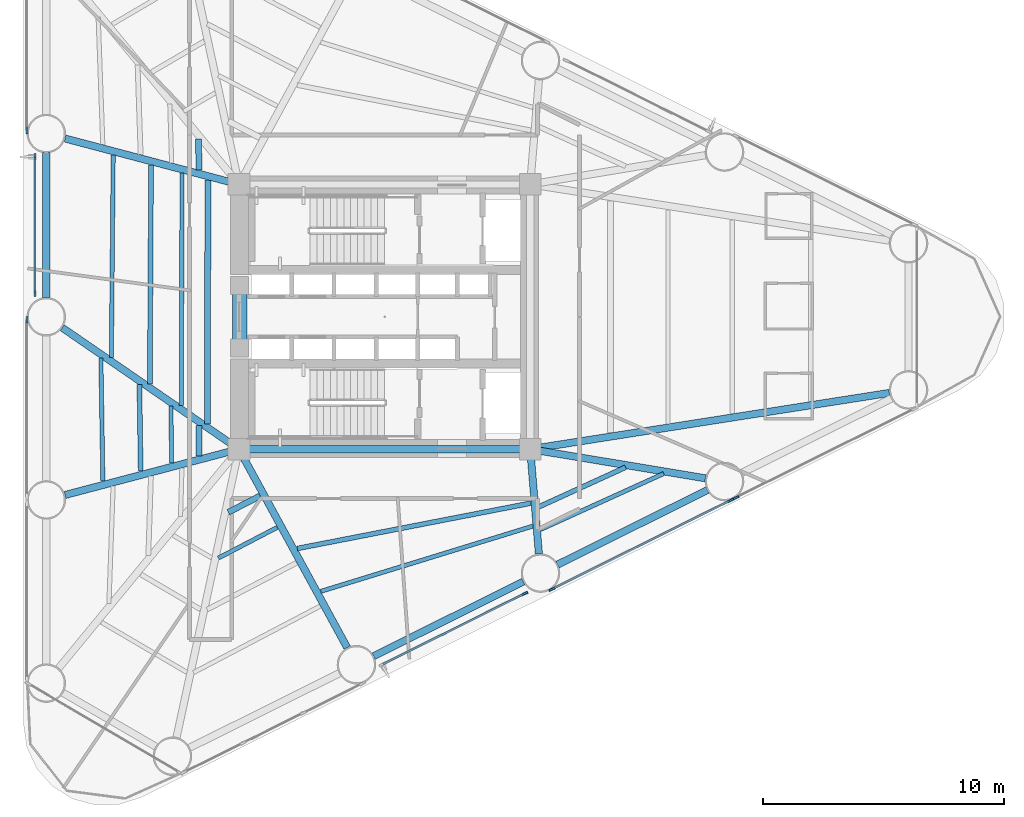
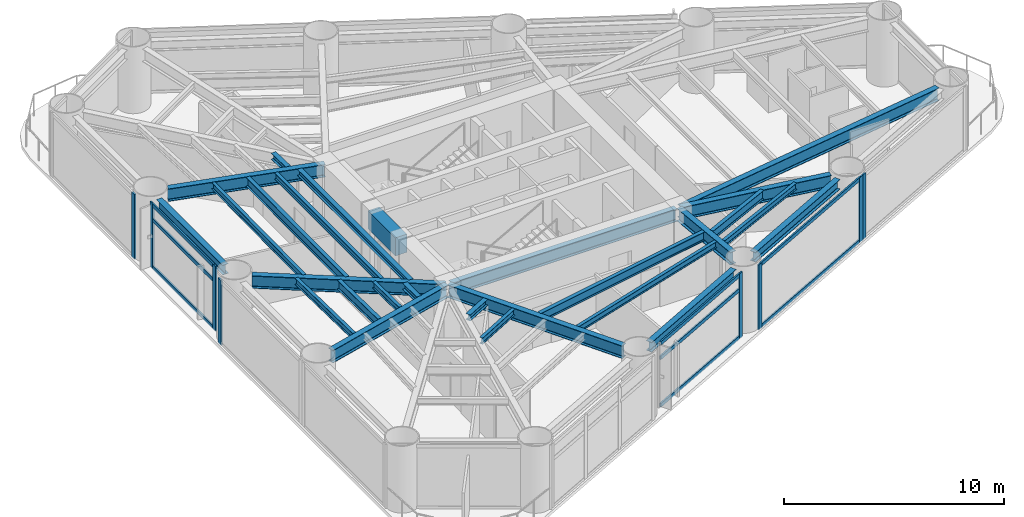
# One storey, part 2 of 10: 27 beams, 16 members, 6 elements without a shape of their own.
"""IFC4 building model written with IfcOpenShell, lengths in metres."""

from ifc_helpers import new_model, si_unit, direction, frame, origin, origin_2d, place, context, subcontext, project, spatial, rectangle, i_section, extrude, source, transform, mapped, material, layer, layer_set, material_profile, profile_set, type_object, element, aggregate, save


model = new_model("IFC4")

# Units and contexts
model_context = context("Model", 3, precision=1e-05, world=origin(), true_north=direction((0.0, 1.0)))
body_context = subcontext(model_context, "Body", "Model", "MODEL_VIEW")
ifc_project = project(units=[si_unit("LENGTHUNIT", "METRE"), si_unit("AREAUNIT", "SQUARE_METRE"), si_unit("VOLUMEUNIT", "CUBIC_METRE"), si_unit("PLANEANGLEUNIT", "RADIAN"), si_unit("MASSUNIT", "GRAM", prefix="KILO")], contexts=[model_context])

# Site, building, storey
site_placement = place(None, origin())
site = spatial("IfcSite", under=ifc_project, at=site_placement, CompositionType="ELEMENT")
building_placement = place(site_placement, origin())
building = spatial("IfcBuilding", under=site, at=building_placement, Name="Yunling Apex Tower", CompositionType="ELEMENT")
storey_placement = place(building_placement, frame((0.0, 0.0, 38.60009765625)))
storey = spatial("IfcBuildingStorey", under=building, at=storey_placement, Name="L11", CompositionType="ELEMENT", Elevation=38.60009765625)

# Beams
ifc_material_1 = material(Name="Concrete C60", Category="concrete")
ifc_material_profile_1 = material_profile(ifc_material_1, rectangle(XDim=0.60009765625, YDim=1.0, at=origin_2d()))
ifc_profile_set_1 = profile_set([ifc_material_profile_1], Name="Concrete C60")
beam_type_1 = type_object("IfcBeamType", Name="BC-CPL-1", PredefinedType="BEAM", material=ifc_profile_set_1)
shared_shape_1 = source(origin(), body_context, "Body", "SweptSolid", [
    extrude(rectangle(XDim=0.60009765625, YDim=1.0, at=origin_2d()), origin(), (0.0, 0.0, 1.0), 2.5),
])
beam_1_placement = place(storey_placement, frame((-6.02490234375, -1.25, 3.014892578125), z_axis=(0.0, 1.0, 0.0), x_axis=(-1.0, 0.0, 0.0)))
element("IfcBeam", 1, at=beam_1_placement, inside=storey, type_object=beam_type_1, Name="L11 Core West Portal Coupling Beam", PredefinedType="BEAM", context=body_context, shape_type="MappedRepresentation", body=[
    mapped(shared_shape_1, transform((0.0, 0.0, 0.0), scale=1.0)),
])
ifc_material_2 = material(Name="Steel Q355B", Category="steel")
ifc_material_profile_2 = material_profile(ifc_material_2, i_section(OverallWidth=0.300048828125, OverallDepth=0.699951171875, WebThickness=0.012939453125, FlangeThickness=0.02392578125, FilletRadius=0.02587890625, at=origin_2d()))
ifc_profile_set_2 = profile_set([ifc_material_profile_2], Name="Steel Q355B")
beam_type_2 = type_object("IfcBeamType", Name="BG-PRI-3", PredefinedType="USERDEFINED", material=ifc_profile_set_2)
shared_shape_2 = source(origin(), body_context, "Body", "SweptSolid", [
    extrude(i_section(OverallWidth=0.300048828125, OverallDepth=0.699951171875, WebThickness=0.012939453125, FlangeThickness=0.02392578125, FilletRadius=0.02587890625, at=origin_2d()), origin(), (0.0, 0.0, 1.0), 11.7998046875),
])
beam_2_placement = place(storey_placement, frame((-5.89990234375, -5.5, 3.164794921875), z_axis=(1.0, 0.0, 0.0), x_axis=(0.0, 1.0, 0.0)))
element("IfcBeam", 2, at=beam_2_placement, inside=storey, type_object=beam_type_2, Name="L11 Core Ring Tie Beam 1", ObjectType="GIRDER", PredefinedType="USERDEFINED", context=body_context, shape_type="MappedRepresentation", body=[
    mapped(shared_shape_2, transform((0.0, 0.0, 0.0), scale=1.0)),
])
ifc_material_profile_3 = material_profile(ifc_material_2, i_section(OverallWidth=0.300048828125, OverallDepth=0.5400390625, WebThickness=0.011962890625, FlangeThickness=0.02001953125, FilletRadius=0.02392578125, at=origin_2d()))
ifc_profile_set_3 = profile_set([ifc_material_profile_3], Name="Steel Q355B")
beam_type_3 = type_object("IfcBeamType", Name="BP-SPN-1", PredefinedType="SPANDREL", material=ifc_profile_set_3)
shared_shape_3 = source(origin(), body_context, "Body", "SweptSolid", [
    extrude(i_section(OverallWidth=0.300048828125, OverallDepth=0.5400390625, WebThickness=0.011962890625, FlangeThickness=0.02001953125, FilletRadius=0.02392578125, at=origin_2d()), origin(), (0.0, 0.0, 1.0), 6.950927734375),
])
beam_3_placement = place(storey_placement, frame((-0.456298828125, -14.099365234375, 3.244873046875), z_axis=(0.895247556401, 0.445569088646, 0.0), x_axis=(-0.445569088646, 0.895247556401, 0.0)))
element("IfcBeam", 3, at=beam_3_placement, inside=storey, type_object=beam_type_3, Name="L11 Perimeter Spandrel Beam 2", PredefinedType="SPANDREL", context=body_context, shape_type="MappedRepresentation", body=[
    mapped(shared_shape_3, transform((0.0, 0.0, 0.0), scale=1.0)),
])
shared_shape_4 = source(origin(), body_context, "Body", "SweptSolid", [
    extrude(i_section(OverallWidth=0.300048828125, OverallDepth=0.5400390625, WebThickness=0.011962890625, FlangeThickness=0.02001953125, FilletRadius=0.02392578125, at=origin_2d()), origin(), (0.0, 0.0, 1.0), 6.95068359375),
])
beam_4_placement = place(storey_placement, frame((7.188232421875, -10.29443359375, 3.244873046875), z_axis=(0.895254593944, 0.445554948375, 0.0), x_axis=(-0.445554948375, 0.895254593944, 0.0)))
element("IfcBeam", 4, at=beam_4_placement, inside=storey, type_object=beam_type_3, Name="L11 Perimeter Spandrel Beam 3", PredefinedType="SPANDREL", context=body_context, shape_type="MappedRepresentation", body=[
    mapped(shared_shape_4, transform((0.0, 0.0, 0.0), scale=1.0)),
])
shared_shape_5 = source(origin(), body_context, "Body", "SweptSolid", [
    extrude(i_section(OverallWidth=0.300048828125, OverallDepth=0.5400390625, WebThickness=0.011962890625, FlangeThickness=0.02001953125, FilletRadius=0.02392578125, at=origin_2d()), origin(), (0.0, 0.0, 1.0), 6.021484375),
])
beam_5_placement = place(storey_placement, frame((-14.052001953125, 6.8154296875, 3.244873046875), z_axis=(0.0, -1.0, 0.0), x_axis=(1.0, 0.0, 0.0)))
element("IfcBeam", 5, at=beam_5_placement, inside=storey, type_object=beam_type_3, Name="L11 Perimeter Spandrel Beam 12", PredefinedType="SPANDREL", context=body_context, shape_type="MappedRepresentation", body=[
    mapped(shared_shape_5, transform((0.0, 0.0, 0.0), scale=1.0)),
])
shared_shape_6 = source(origin(), body_context, "Body", "SweptSolid", [
    extrude(i_section(OverallWidth=0.300048828125, OverallDepth=0.699951171875, WebThickness=0.012939453125, FlangeThickness=0.02392578125, FilletRadius=0.02587890625, at=origin_2d()), origin(), (0.0, 0.0, 1.0), 9.31005859375),
])
beam_6_placement = place(storey_placement, frame((-1.553955078125, -13.74365234375, 3.164794921875), z_axis=(-0.478817221141, 0.877914613581, 0.0), x_axis=(-0.877914613581, -0.478817221141, 0.0)))
element("IfcBeam", 6, at=beam_6_placement, inside=storey, type_object=beam_type_2, Name="L11 Radial Primary Girder R02", ObjectType="GIRDER", PredefinedType="USERDEFINED", context=body_context, shape_type="MappedRepresentation", body=[
    mapped(shared_shape_6, transform((0.0, 0.0, 0.0), scale=1.0)),
])
shared_shape_7 = source(origin(), body_context, "Body", "SweptSolid", [
    extrude(i_section(OverallWidth=0.300048828125, OverallDepth=0.699951171875, WebThickness=0.012939453125, FlangeThickness=0.02392578125, FilletRadius=0.02587890625, at=origin_2d()), origin(), (0.0, 0.0, 1.0), 4.278076171875),
])
beam_7_placement = place(storey_placement, frame((6.41064453125, -9.843017578125, 3.164794921875), z_axis=(-0.082747937789, 0.996570508691, 0.0), x_axis=(-0.996570508691, -0.082747937789, 0.0)))
element("IfcBeam", 7, at=beam_7_placement, inside=storey, type_object=beam_type_2, Name="L11 Radial Primary Girder R03", ObjectType="GIRDER", PredefinedType="USERDEFINED", context=body_context, shape_type="MappedRepresentation", body=[
    mapped(shared_shape_7, transform((0.0, 0.0, 0.0), scale=1.0)),
])
shared_shape_8 = source(origin(), body_context, "Body", "SweptSolid", [
    extrude(i_section(OverallWidth=0.300048828125, OverallDepth=0.699951171875, WebThickness=0.012939453125, FlangeThickness=0.02392578125, FilletRadius=0.02587890625, at=origin_2d()), origin(), (0.0, 0.0, 1.0), 7.294921875),
])
beam_8_placement = place(storey_placement, frame((13.32470703125, -6.7109375, 3.164794921875), z_axis=(-0.98642827455, 0.164192750049, 0.0), x_axis=(-0.164192750049, -0.98642827455, 0.0)))
element("IfcBeam", 8, at=beam_8_placement, inside=storey, type_object=beam_type_2, Name="L11 Radial Primary Girder R04", ObjectType="GIRDER", PredefinedType="USERDEFINED", context=body_context, shape_type="MappedRepresentation", body=[
    mapped(shared_shape_8, transform((0.0, 0.0, 0.0), scale=1.0)),
])
shared_shape_9 = source(origin(), body_context, "Body", "SweptSolid", [
    extrude(i_section(OverallWidth=0.300048828125, OverallDepth=0.699951171875, WebThickness=0.012939453125, FlangeThickness=0.02392578125, FilletRadius=0.02587890625, at=origin_2d()), origin(), (0.0, 0.0, 1.0), 15.02001953125),
])
beam_9_placement = place(storey_placement, frame((20.968017578125, -3.163818359375, 3.164794921875), z_axis=(-0.987959991473, -0.154709583568, 0.0), x_axis=(0.154709583568, -0.987959991473, 0.0)))
element("IfcBeam", 9, at=beam_9_placement, inside=storey, type_object=beam_type_2, Name="L11 Radial Primary Girder R05", ObjectType="GIRDER", PredefinedType="USERDEFINED", context=body_context, shape_type="MappedRepresentation", body=[
    mapped(shared_shape_9, transform((0.0, 0.0, 0.0), scale=1.0)),
])
shared_shape_10 = source(origin(), body_context, "Body", "SweptSolid", [
    extrude(i_section(OverallWidth=0.300048828125, OverallDepth=0.699951171875, WebThickness=0.012939453125, FlangeThickness=0.02392578125, FilletRadius=0.02587890625, at=origin_2d()), origin(), (0.0, 0.0, 1.0), 7.387451171875),
])
for number, where, z_axis, x_axis, name in (
    (10, (-13.270751953125, 7.403564453125, 3.164794921875), (0.966966571797, -0.25490321502, 0.0), (0.25490321502, 0.966966571797, 0.0), "L11 Radial Primary Girder R12"),
    (11, (-13.270751953125, -7.403564453125, 3.164794921875), (0.966966571797, 0.25490321502, 0.0), (-0.25490321502, 0.966966571797, 0.0), "L11 Radial Primary Girder R14"),
):
    element("IfcBeam", number, at=place(storey_placement, frame(where, z_axis=z_axis, x_axis=x_axis)), inside=storey, type_object=beam_type_2, Name=name, ObjectType="GIRDER", PredefinedType="USERDEFINED", context=body_context, shape_type="MappedRepresentation", body=[
        mapped(shared_shape_10, transform((0.0, 0.0, 0.0), scale=1.0)),
    ])
shared_shape_11 = source(origin(), body_context, "Body", "SweptSolid", [
    extrude(i_section(OverallWidth=0.300048828125, OverallDepth=0.699951171875, WebThickness=0.012939453125, FlangeThickness=0.02392578125, FilletRadius=0.02587890625, at=origin_2d()), origin(), (0.0, 0.0, 1.0), 8.821533203125),
])
beam_10_placement = place(storey_placement, frame((-13.385986328125, -0.457763671875, 3.164794921875), z_axis=(0.824111362877, -0.566427807912, 0.0), x_axis=(0.566427807912, 0.824111362877, 0.0)))
element("IfcBeam", 12, at=beam_10_placement, inside=storey, type_object=beam_type_2, Name="L11 Radial Primary Girder R13", ObjectType="GIRDER", PredefinedType="USERDEFINED", context=body_context, shape_type="MappedRepresentation", body=[
    mapped(shared_shape_11, transform((0.0, 0.0, 0.0), scale=1.0)),
])
ifc_material_profile_4 = material_profile(ifc_material_2, i_section(OverallWidth=0.175048828125, OverallDepth=0.35009765625, WebThickness=0.007080078125, FlangeThickness=0.010986328125, FilletRadius=0.013916015625, at=origin_2d()))
ifc_profile_set_4 = profile_set([ifc_material_profile_4], Name="Steel Q355B")
beam_type_4 = type_object("IfcBeamType", Name="BJ-JST-1", PredefinedType="JOIST", material=ifc_profile_set_4)
shared_shape_12 = source(origin(), body_context, "Body", "SweptSolid", [
    extrude(i_section(OverallWidth=0.175048828125, OverallDepth=0.35009765625, WebThickness=0.007080078125, FlangeThickness=0.010986328125, FilletRadius=0.013916015625, at=origin_2d()), origin(), (0.0, 0.0, 1.0), 2.7548828125),
])
beam_11_placement = place(storey_placement, frame((-6.903076171875, -10.0224609375, 3.33984375), z_axis=(0.886932237595, 0.461899562584, 0.0), x_axis=(-0.461899562584, 0.886932237595, 0.0)))
element("IfcBeam", 13, at=beam_11_placement, inside=storey, type_object=beam_type_4, Name="L11 Composite Floor Joist BJ3-1", PredefinedType="JOIST", context=body_context, shape_type="MappedRepresentation", body=[
    mapped(shared_shape_12, transform((0.0, 0.0, 0.0), scale=1.0)),
])
ifc_material_profile_5 = material_profile(ifc_material_2, i_section(OverallWidth=0.25, OverallDepth=0.340087890625, WebThickness=0.009033203125, FlangeThickness=0.013916015625, FilletRadius=0.01806640625, at=origin_2d()))
ifc_profile_set_5 = profile_set([ifc_material_profile_5], Name="Steel Q355B")
beam_type_5 = type_object("IfcBeamType", Name="BJ-JST-2", PredefinedType="JOIST", material=ifc_profile_set_5)
shared_shape_13 = source(origin(), body_context, "Body", "SweptSolid", [
    extrude(i_section(OverallWidth=0.25, OverallDepth=0.340087890625, WebThickness=0.009033203125, FlangeThickness=0.013916015625, FilletRadius=0.01806640625, at=origin_2d()), origin(), (0.0, 0.0, 1.0), 1.482421875),
])
beam_12_placement = place(storey_placement, frame((-6.490966796875, -8.12060546875, 3.344970703125), z_axis=(0.888960334438, 0.457984196012, 0.0), x_axis=(-0.457984196012, 0.888960334438, 0.0)))
element("IfcBeam", 14, at=beam_12_placement, inside=storey, type_object=beam_type_5, Name="L11 Composite Floor Joist BJ2-1", PredefinedType="JOIST", context=body_context, shape_type="MappedRepresentation", body=[
    mapped(shared_shape_13, transform((0.0, 0.0, 0.0), scale=1.0)),
])
ifc_material_profile_6 = material_profile(ifc_material_2, i_section(OverallWidth=0.199951171875, OverallDepth=0.5, WebThickness=0.010009765625, FlangeThickness=0.01611328125, FilletRadius=0.02001953125, at=origin_2d()))
ifc_profile_set_6 = profile_set([ifc_material_profile_6], Name="Steel Q355B")
beam_type_6 = type_object("IfcBeamType", Name="BS-SEC-2", PredefinedType="BEAM", material=ifc_profile_set_6)
shared_shape_14 = source(origin(), body_context, "Body", "SweptSolid", [
    extrude(i_section(OverallWidth=0.199951171875, OverallDepth=0.5, WebThickness=0.010009765625, FlangeThickness=0.01611328125, FilletRadius=0.02001953125, at=origin_2d()), origin(), (0.0, 0.0, 1.0), 9.883544921875),
])
beam_13_placement = place(storey_placement, frame((-3.625732421875, -9.62646484375, 3.264892578125), z_axis=(0.981653423938, 0.190673950161, 0.0), x_axis=(-0.190673950161, 0.981653423938, 0.0)))
element("IfcBeam", 15, at=beam_13_placement, inside=storey, type_object=beam_type_6, Name="L11 Composite Floor Beam BS-2", PredefinedType="BEAM", context=body_context, shape_type="MappedRepresentation", body=[
    mapped(shared_shape_14, transform((0.0, 0.0, 0.0), scale=1.0)),
])
shared_shape_15 = source(origin(), body_context, "Body", "SweptSolid", [
    extrude(i_section(OverallWidth=0.175048828125, OverallDepth=0.35009765625, WebThickness=0.007080078125, FlangeThickness=0.010986328125, FilletRadius=0.013916015625, at=origin_2d()), origin(), (0.0, 0.0, 1.0), 9.2158203125),
])
beam_14_placement = place(storey_placement, frame((-2.649169921875, -11.407958984375, 3.33984375), z_axis=(0.955731454849, 0.294240354492, 0.0), x_axis=(-0.294240354492, 0.955731454849, 0.0)))
element("IfcBeam", 16, at=beam_14_placement, inside=storey, type_object=beam_type_4, Name="L11 Composite Floor Joist BJ1-2", PredefinedType="JOIST", context=body_context, shape_type="MappedRepresentation", body=[
    mapped(shared_shape_15, transform((0.0, 0.0, 0.0), scale=1.0)),
])
shared_shape_16 = source(origin(), body_context, "Body", "SweptSolid", [
    extrude(i_section(OverallWidth=0.199951171875, OverallDepth=0.5, WebThickness=0.010009765625, FlangeThickness=0.01611328125, FilletRadius=0.02001953125, at=origin_2d()), origin(), (0.0, 0.0, 1.0), 3.971923828125),
])
beam_15_placement = place(storey_placement, frame((6.400390625, -7.900634765625, 3.264892578125), z_axis=(0.909609234888, 0.415464847858, 0.0), x_axis=(-0.415464847858, 0.909609234888, 0.0)))
element("IfcBeam", 17, at=beam_15_placement, inside=storey, type_object=beam_type_6, Name="L11 Composite Floor Beam BS-3", PredefinedType="BEAM", context=body_context, shape_type="MappedRepresentation", body=[
    mapped(shared_shape_16, transform((0.0, 0.0, 0.0), scale=1.0)),
])
shared_shape_17 = source(origin(), body_context, "Body", "SweptSolid", [
    extrude(i_section(OverallWidth=0.175048828125, OverallDepth=0.35009765625, WebThickness=0.007080078125, FlangeThickness=0.010986328125, FilletRadius=0.013916015625, at=origin_2d()), origin(), (0.0, 0.0, 1.0), 5.62109375),
])
beam_16_placement = place(storey_placement, frame((6.478515625, -8.839111328125, 3.33984375), z_axis=(0.910411095702, 0.413704770124, 0.0), x_axis=(-0.413704770124, 0.910411095702, 0.0)))
element("IfcBeam", 18, at=beam_16_placement, inside=storey, type_object=beam_type_4, Name="L11 Composite Floor Joist BJ1-3", PredefinedType="JOIST", context=body_context, shape_type="MappedRepresentation", body=[
    mapped(shared_shape_17, transform((0.0, 0.0, 0.0), scale=1.0)),
])
shared_shape_18 = source(origin(), body_context, "Body", "SweptSolid", [
    extrude(i_section(OverallWidth=0.25, OverallDepth=0.340087890625, WebThickness=0.009033203125, FlangeThickness=0.013916015625, FilletRadius=0.01806640625, at=origin_2d()), origin(), (0.0, 0.0, 1.0), 1.294921875),
])
beam_17_placement = place(storey_placement, frame((-7.7333984375, 7.38916015625, 3.344970703125), z_axis=(0.023753431789, -0.999717847434, 0.0), x_axis=(0.999717847434, 0.023753431789, 0.0)))
element("IfcBeam", 19, at=beam_17_placement, inside=storey, type_object=beam_type_5, Name="L11 Composite Floor Joist BJ2-11", PredefinedType="JOIST", context=body_context, shape_type="MappedRepresentation", body=[
    mapped(shared_shape_18, transform((0.0, 0.0, 0.0), scale=1.0)),
])
shared_shape_19 = source(origin(), body_context, "Body", "SweptSolid", [
    extrude(i_section(OverallWidth=0.199951171875, OverallDepth=0.5, WebThickness=0.010009765625, FlangeThickness=0.01611328125, FilletRadius=0.02001953125, at=origin_2d()), origin(), (0.0, 0.0, 1.0), 9.098388671875),
])
beam_18_placement = place(storey_placement, frame((-9.699951171875, 6.302001953125, 3.264892578125), z_axis=(-0.005500909631, -0.999984869882, 0.0), x_axis=(0.999984869882, -0.005500909631, 0.0)))
element("IfcBeam", 20, at=beam_18_placement, inside=storey, type_object=beam_type_6, Name="L11 Composite Floor Beam BS-12", PredefinedType="BEAM", context=body_context, shape_type="MappedRepresentation", body=[
    mapped(shared_shape_19, transform((0.0, 0.0, 0.0), scale=1.0)),
])
shared_shape_20 = source(origin(), body_context, "Body", "SweptSolid", [
    extrude(i_section(OverallWidth=0.175048828125, OverallDepth=0.35009765625, WebThickness=0.007080078125, FlangeThickness=0.010986328125, FilletRadius=0.013916015625, at=origin_2d()), origin(), (0.0, 0.0, 1.0), 8.41357421875),
])
beam_19_placement = place(storey_placement, frame((-11.27197265625, 6.71630859375, 3.33984375), z_axis=(-0.009169400639, -0.999957960162, 0.0), x_axis=(0.999957960162, -0.009169400639, 0.0)))
element("IfcBeam", 21, at=beam_19_placement, inside=storey, type_object=beam_type_4, Name="L11 Composite Floor Joist BJ1-12", PredefinedType="JOIST", context=body_context, shape_type="MappedRepresentation", body=[
    mapped(shared_shape_20, transform((0.0, 0.0, 0.0), scale=1.0)),
])
shared_shape_21 = source(origin(), body_context, "Body", "SweptSolid", [
    extrude(i_section(OverallWidth=0.175048828125, OverallDepth=0.35009765625, WebThickness=0.007080078125, FlangeThickness=0.010986328125, FilletRadius=0.013916015625, at=origin_2d()), origin(), (0.0, 0.0, 1.0), 9.65869140625),
])
beam_20_placement = place(storey_placement, frame((-8.413818359375, 5.962890625, 3.33984375), z_axis=(-0.002906817505, -0.999995775197, 0.0), x_axis=(0.999995775197, -0.002906817505, 0.0)))
element("IfcBeam", 22, at=beam_20_placement, inside=storey, type_object=beam_type_4, Name="L11 Composite Floor Joist BJ3-12", PredefinedType="JOIST", context=body_context, shape_type="MappedRepresentation", body=[
    mapped(shared_shape_21, transform((0.0, 0.0, 0.0), scale=1.0)),
])
shared_shape_22 = source(origin(), body_context, "Body", "SweptSolid", [
    extrude(i_section(OverallWidth=0.25, OverallDepth=0.340087890625, WebThickness=0.009033203125, FlangeThickness=0.013916015625, FilletRadius=0.01806640625, at=origin_2d()), origin(), (0.0, 0.0, 1.0), 10.125732421875),
])
beam_21_placement = place(storey_placement, frame((-7.341796875, 5.680419921875, 3.344970703125), z_axis=(-0.000988546835, -0.999999511387, 0.0), x_axis=(0.999999511387, -0.000988546835, 0.0)))
element("IfcBeam", 23, at=beam_21_placement, inside=storey, type_object=beam_type_5, Name="L11 Composite Floor Joist BJ2-12", PredefinedType="JOIST", context=body_context, shape_type="MappedRepresentation", body=[
    mapped(shared_shape_22, transform((0.0, 0.0, 0.0), scale=1.0)),
])
shared_shape_23 = source(origin(), body_context, "Body", "SweptSolid", [
    extrude(i_section(OverallWidth=0.199951171875, OverallDepth=0.5, WebThickness=0.010009765625, FlangeThickness=0.01611328125, FilletRadius=0.02001953125, at=origin_2d()), origin(), (0.0, 0.0, 1.0), 3.59912109375),
])
beam_22_placement = place(storey_placement, frame((-10.184814453125, -2.81640625, 3.264892578125), z_axis=(0.015194989083, -0.999884549489, 0.0), x_axis=(0.999884549489, 0.015194989083, 0.0)))
element("IfcBeam", 24, at=beam_22_placement, inside=storey, type_object=beam_type_6, Name="L11 Composite Floor Beam BS-13", PredefinedType="BEAM", context=body_context, shape_type="MappedRepresentation", body=[
    mapped(shared_shape_23, transform((0.0, 0.0, 0.0), scale=1.0)),
])
shared_shape_24 = source(origin(), body_context, "Body", "SweptSolid", [
    extrude(i_section(OverallWidth=0.175048828125, OverallDepth=0.35009765625, WebThickness=0.007080078125, FlangeThickness=0.010986328125, FilletRadius=0.013916015625, at=origin_2d()), origin(), (0.0, 0.0, 1.0), 5.11279296875),
])
beam_23_placement = place(storey_placement, frame((-11.7841796875, -1.717041015625, 3.33984375), z_axis=(0.016092285311, -0.999870510793, 0.0), x_axis=(0.999870510793, 0.016092285311, 0.0)))
element("IfcBeam", 25, at=beam_23_placement, inside=storey, type_object=beam_type_4, Name="L11 Composite Floor Joist BJ1-13", PredefinedType="JOIST", context=body_context, shape_type="MappedRepresentation", body=[
    mapped(shared_shape_24, transform((0.0, 0.0, 0.0), scale=1.0)),
])
shared_shape_25 = source(origin(), body_context, "Body", "SweptSolid", [
    extrude(i_section(OverallWidth=0.175048828125, OverallDepth=0.35009765625, WebThickness=0.007080078125, FlangeThickness=0.010986328125, FilletRadius=0.013916015625, at=origin_2d()), origin(), (0.0, 0.0, 1.0), 2.3603515625),
])
beam_24_placement = place(storey_placement, frame((-8.87646484375, -3.7158203125, 3.33984375), z_axis=(0.013756844339, -0.99990537014, 0.0), x_axis=(0.99990537014, 0.013756844339, 0.0)))
element("IfcBeam", 26, at=beam_24_placement, inside=storey, type_object=beam_type_4, Name="L11 Composite Floor Joist BJ3-13", PredefinedType="JOIST", context=body_context, shape_type="MappedRepresentation", body=[
    mapped(shared_shape_25, transform((0.0, 0.0, 0.0), scale=1.0)),
])
shared_shape_26 = source(origin(), body_context, "Body", "SweptSolid", [
    extrude(i_section(OverallWidth=0.25, OverallDepth=0.340087890625, WebThickness=0.009033203125, FlangeThickness=0.013916015625, FilletRadius=0.01806640625, at=origin_2d()), origin(), (0.0, 0.0, 1.0), 1.25927734375),
])
beam_25_placement = place(storey_placement, frame((-7.713623046875, -4.515380859375, 3.344970703125), z_axis=(0.010274758105, -0.99994721328, 0.0), x_axis=(0.99994721328, 0.010274758105, 0.0)))
element("IfcBeam", 27, at=beam_25_placement, inside=storey, type_object=beam_type_5, Name="L11 Composite Floor Joist BJ2-13", PredefinedType="JOIST", context=body_context, shape_type="MappedRepresentation", body=[
    mapped(shared_shape_26, transform((0.0, 0.0, 0.0), scale=1.0)),
])

# Curtain wall, member
ifc_material_3 = material(Name="Bronze anodised aluminium", Category="aluminium")
ifc_layer = layer(ifc_material_3, 0.260009765625)
ifc_layer_set = layer_set([ifc_layer], Name="Bronze anodised aluminium")
curtain_wall_type = type_object("IfcCurtainWallType", Name="CW-SYS-2", PredefinedType="NOTDEFINED", material=ifc_layer_set)
curtain_wall_1_placement = place(storey_placement, origin())
curtain_wall_1 = element("IfcCurtainWall", 28, at=curtain_wall_1_placement, inside=storey, type_object=curtain_wall_type, Name="CW-L11-F1-B2", PredefinedType="NOTDEFINED")
ifc_material_profile_7 = material_profile(ifc_material_3, rectangle(XDim=0.0849609375, YDim=0.260009765625, at=origin_2d()))
ifc_profile_set_7 = profile_set([ifc_material_profile_7], Name="Bronze anodised aluminium")
member_type_1 = type_object("IfcMemberType", Name="CW-MUL-2", PredefinedType="MULLION", material=ifc_profile_set_7)
shared_shape_27 = source(origin(), body_context, "Body", "SweptSolid", [
    extrude(rectangle(XDim=0.0849609375, YDim=0.260009765625, at=origin_2d()), origin(), (0.0, 0.0, 1.0), 3.614990234375),
])
member_1_placement = place(storey_placement, frame((5.8251953125, -11.498046875, -0.050048828125), z_axis=(0.0, 0.0, 1.0), x_axis=(-0.445582781121, 0.895240741459, 0.0)))
member_1 = element("IfcMember", 29, at=member_1_placement, type_object=member_type_1, Name="CW-SYS-2 mullion 2", PredefinedType="MULLION", context=body_context, shape_type="MappedRepresentation", body=[
    mapped(shared_shape_27, transform((0.0, 0.0, 0.0), scale=1.0)),
])

# Curtain wall, members
curtain_wall_2_placement = place(storey_placement, origin())
curtain_wall_2 = element("IfcCurtainWall", 30, at=curtain_wall_2_placement, inside=storey, type_object=curtain_wall_type, Name="CW-L11-F1-B3", PredefinedType="NOTDEFINED")
member_2_placement = place(storey_placement, frame((6.947998046875, -11.31884765625, -0.050048828125), z_axis=(0.0, 0.0, 1.0), x_axis=(-0.445570625003, 0.895246791748, 0.0)))
member_2 = element("IfcMember", 31, at=member_2_placement, type_object=member_type_1, Name="CW-SYS-2 mullion 1", PredefinedType="MULLION", context=body_context, shape_type="MappedRepresentation", body=[
    mapped(shared_shape_27, transform((0.0, 0.0, 0.0), scale=1.0)),
])
member_3_placement = place(storey_placement, frame((14.373046875, -7.623291015625, -0.050048828125), z_axis=(0.0, 0.0, 1.0), x_axis=(-0.445570625003, 0.895246791748, 0.0)))
member_3 = element("IfcMember", 32, at=member_3_placement, type_object=member_type_1, Name="CW-SYS-2 mullion 2", PredefinedType="MULLION", context=body_context, shape_type="MappedRepresentation", body=[
    mapped(shared_shape_27, transform((0.0, 0.0, 0.0), scale=1.0)),
])

# Curtain wall, member
curtain_wall_3_placement = place(storey_placement, origin())
curtain_wall_3 = element("IfcCurtainWall", 33, at=curtain_wall_3_placement, inside=storey, type_object=curtain_wall_type, Name="CW-L11-F1-B4", PredefinedType="NOTDEFINED")
member_4_placement = place(storey_placement, frame((14.59228515625, -7.51416015625, -0.050048828125), z_axis=(0.0, 0.0, 1.0), x_axis=(-0.445580190214, 0.895242031011, 0.0)))
member_4 = element("IfcMember", 34, at=member_4_placement, type_object=member_type_1, Name="CW-SYS-2 mullion 1", PredefinedType="MULLION", context=body_context, shape_type="MappedRepresentation", body=[
    mapped(shared_shape_27, transform((0.0, 0.0, 0.0), scale=1.0)),
])
aggregate(curtain_wall_3, [member_4])

curtain_wall_4_placement = place(storey_placement, origin())
curtain_wall_4 = element("IfcCurtainWall", 35, at=curtain_wall_4_placement, inside=storey, type_object=curtain_wall_type, Name="CW-L11-F3-B1", PredefinedType="NOTDEFINED")
member_5_placement = place(storey_placement, frame((-14.862060546875, 7.73193359375, -0.050048828125), z_axis=(0.0, 0.0, 1.0), x_axis=(1.0, 0.0, 0.0)))
member_5 = element("IfcMember", 36, at=member_5_placement, type_object=member_type_1, Name="CW-SYS-2 mullion 2", PredefinedType="MULLION", context=body_context, shape_type="MappedRepresentation", body=[
    mapped(shared_shape_27, transform((0.0, 0.0, 0.0), scale=1.0)),
])
aggregate(curtain_wall_4, [member_5])

# Curtain wall, members
curtain_wall_5_placement = place(storey_placement, origin())
curtain_wall_5 = element("IfcCurtainWall", 37, at=curtain_wall_5_placement, inside=storey, type_object=curtain_wall_type, Name="CW-L11-F3-B2", PredefinedType="NOTDEFINED")
member_6_placement = place(storey_placement, frame((-14.52197265625, 6.64697265625, -0.050048828125), z_axis=(0.0, 0.0, 1.0), x_axis=(1.0, 0.0, 0.0)))
member_6 = element("IfcMember", 38, at=member_6_placement, type_object=member_type_1, Name="CW-SYS-2 mullion 1", PredefinedType="MULLION", context=body_context, shape_type="MappedRepresentation", body=[
    mapped(shared_shape_27, transform((0.0, 0.0, 0.0), scale=1.0)),
])
member_7_placement = place(storey_placement, frame((-14.52197265625, 0.96240234375, -0.050048828125), z_axis=(0.0, 0.0, 1.0), x_axis=(1.0, 0.0, 0.0)))
member_7 = element("IfcMember", 39, at=member_7_placement, type_object=member_type_1, Name="CW-SYS-2 mullion 2", PredefinedType="MULLION", context=body_context, shape_type="MappedRepresentation", body=[
    mapped(shared_shape_27, transform((0.0, 0.0, 0.0), scale=1.0)),
])

# Curtain wall, member
curtain_wall_6_placement = place(storey_placement, origin())
curtain_wall_6 = element("IfcCurtainWall", 40, at=curtain_wall_6_placement, inside=storey, type_object=curtain_wall_type, Name="CW-L11-F3-B3", PredefinedType="NOTDEFINED")
member_8_placement = place(storey_placement, frame((-14.862060546875, -0.12255859375, -0.050048828125), z_axis=(0.0, 0.0, 1.0), x_axis=(1.0, 0.0, 0.0)))
member_8 = element("IfcMember", 41, at=member_8_placement, type_object=member_type_1, Name="CW-SYS-2 mullion 1", PredefinedType="MULLION", context=body_context, shape_type="MappedRepresentation", body=[
    mapped(shared_shape_27, transform((0.0, 0.0, 0.0), scale=1.0)),
])
aggregate(curtain_wall_6, [member_8])

# Member
ifc_material_profile_8 = material_profile(ifc_material_3, rectangle(XDim=0.0849609375, YDim=0.199951171875, at=origin_2d()))
ifc_profile_set_8 = profile_set([ifc_material_profile_8], Name="Bronze anodised aluminium")
member_type_2 = type_object("IfcMemberType", Name="CW-TRN-2", PredefinedType="USERDEFINED", material=ifc_profile_set_8)
shared_shape_28 = source(origin(), body_context, "Body", "SweptSolid", [
    extrude(rectangle(XDim=0.0849609375, YDim=0.199951171875, at=origin_2d()), origin(), (0.0, 0.0, 1.0), 8.217529296875),
])
member_9_placement = place(storey_placement, frame((6.982177734375, -11.3017578125, 0.04248046875), z_axis=(0.895251603772, 0.445560956485, 0.0), x_axis=(-0.445560956485, 0.895251603772, 0.0)))
member_9 = element("IfcMember", 42, at=member_9_placement, type_object=member_type_2, Name="CW-SYS-2 transom 1.1", ObjectType="TRANSOM", PredefinedType="USERDEFINED", context=body_context, shape_type="MappedRepresentation", body=[
    mapped(shared_shape_28, transform((0.0, 0.0, 0.0), scale=1.0)),
])

member_10_placement = place(storey_placement, frame((6.982177734375, -11.3017578125, 3.472412109375), z_axis=(0.895251603772, 0.445560956485, 0.0), x_axis=(-0.445560956485, 0.895251603772, 0.0)))
member_10 = element("IfcMember", 43, at=member_10_placement, type_object=member_type_2, Name="CW-SYS-2 transom 1.2", ObjectType="TRANSOM", PredefinedType="USERDEFINED", context=body_context, shape_type="MappedRepresentation", body=[
    mapped(shared_shape_28, transform((0.0, 0.0, 0.0), scale=1.0)),
])

aggregate(curtain_wall_2, [member_2, member_3, member_9, member_10])

shared_shape_29 = source(origin(), body_context, "Body", "SweptSolid", [
    extrude(rectangle(XDim=0.0849609375, YDim=0.199951171875, at=origin_2d()), origin(), (0.0, 0.0, 1.0), 6.53759765625),
])
member_11_placement = place(storey_placement, frame((-0.061767578125, -14.427978515625, 0.04248046875), z_axis=(0.89523980106, 0.445584670515, 0.0), x_axis=(-0.445584670515, 0.89523980106, 0.0)))
member_11 = element("IfcMember", 44, at=member_11_placement, type_object=member_type_2, Name="CW-SYS-2 transom 1.1", ObjectType="TRANSOM", PredefinedType="USERDEFINED", context=body_context, shape_type="MappedRepresentation", body=[
    mapped(shared_shape_29, transform((0.0, 0.0, 0.0), scale=1.0)),
])

member_12_placement = place(storey_placement, frame((-0.061767578125, -14.427978515625, 2.67138671875), z_axis=(0.89523980106, 0.445584670515, 0.0), x_axis=(-0.445584670515, 0.89523980106, 0.0)))
member_12 = element("IfcMember", 45, at=member_12_placement, type_object=member_type_2, Name="CW-SYS-2 transom 1.2", ObjectType="TRANSOM", PredefinedType="USERDEFINED", context=body_context, shape_type="MappedRepresentation", body=[
    mapped(shared_shape_29, transform((0.0, 0.0, 0.0), scale=1.0)),
])

member_13_placement = place(storey_placement, frame((-0.061767578125, -14.427978515625, 3.472412109375), z_axis=(0.89523980106, 0.445584670515, 0.0), x_axis=(-0.445584670515, 0.89523980106, 0.0)))
member_13 = element("IfcMember", 46, at=member_13_placement, type_object=member_type_2, Name="CW-SYS-2 transom 1.3", ObjectType="TRANSOM", PredefinedType="USERDEFINED", context=body_context, shape_type="MappedRepresentation", body=[
    mapped(shared_shape_29, transform((0.0, 0.0, 0.0), scale=1.0)),
])

aggregate(curtain_wall_1, [member_1, member_11, member_12, member_13])

shared_shape_30 = source(origin(), body_context, "Body", "SweptSolid", [
    extrude(rectangle(XDim=0.0849609375, YDim=0.199951171875, at=origin_2d()), origin(), (0.0, 0.0, 1.0), 5.60791015625),
])
member_14_placement = place(storey_placement, frame((-14.52197265625, 6.608642578125, 0.04248046875), z_axis=(0.0, -1.0, 0.0), x_axis=(1.0, 0.0, 0.0)))
member_14 = element("IfcMember", 47, at=member_14_placement, type_object=member_type_2, Name="CW-SYS-2 transom 1.1", ObjectType="TRANSOM", PredefinedType="USERDEFINED", context=body_context, shape_type="MappedRepresentation", body=[
    mapped(shared_shape_30, transform((0.0, 0.0, 0.0), scale=1.0)),
])

member_15_placement = place(storey_placement, frame((-14.52197265625, 6.608642578125, 2.67138671875), z_axis=(0.0, -1.0, 0.0), x_axis=(1.0, 0.0, 0.0)))
member_15 = element("IfcMember", 48, at=member_15_placement, type_object=member_type_2, Name="CW-SYS-2 transom 1.2", ObjectType="TRANSOM", PredefinedType="USERDEFINED", context=body_context, shape_type="MappedRepresentation", body=[
    mapped(shared_shape_30, transform((0.0, 0.0, 0.0), scale=1.0)),
])

member_16_placement = place(storey_placement, frame((-14.52197265625, 6.608642578125, 3.472412109375), z_axis=(0.0, -1.0, 0.0), x_axis=(1.0, 0.0, 0.0)))
member_16 = element("IfcMember", 49, at=member_16_placement, type_object=member_type_2, Name="CW-SYS-2 transom 1.3", ObjectType="TRANSOM", PredefinedType="USERDEFINED", context=body_context, shape_type="MappedRepresentation", body=[
    mapped(shared_shape_30, transform((0.0, 0.0, 0.0), scale=1.0)),
])

aggregate(curtain_wall_5, [member_6, member_7, member_14, member_15, member_16])

save(model, "model.ifc")
